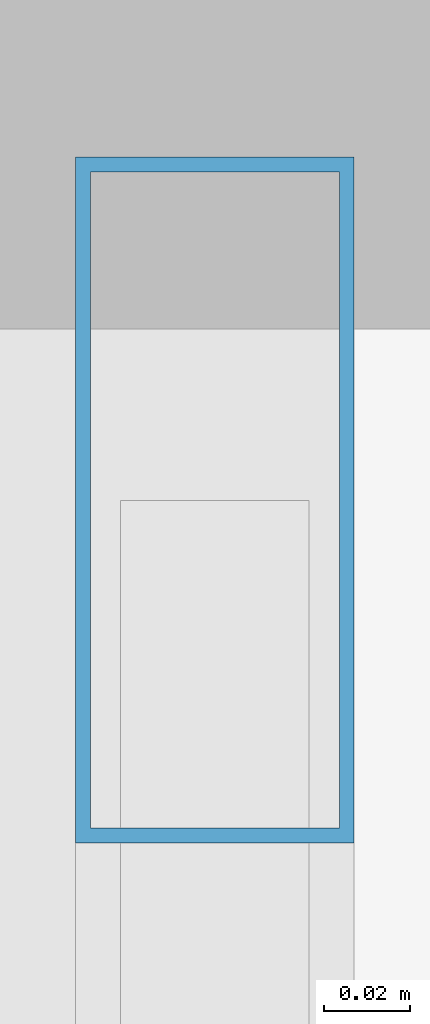
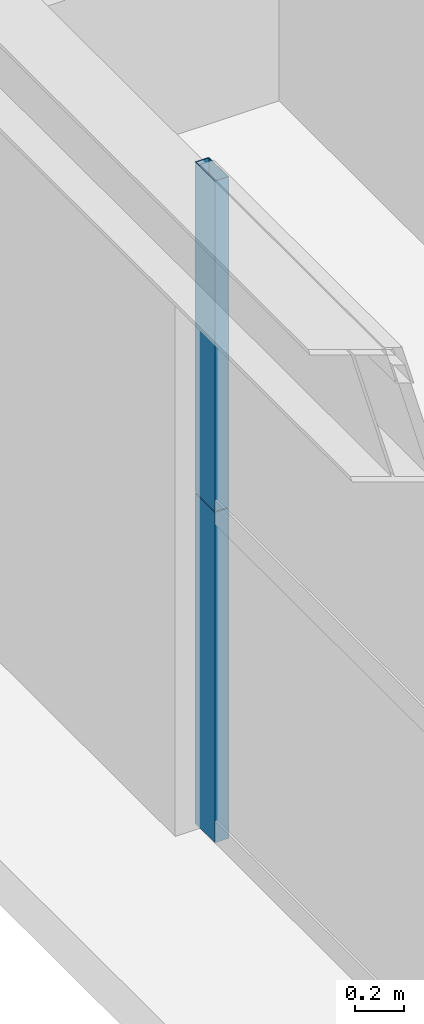
# One storey, part 30 of 45: 2 members, 1 element without a shape of its own.
"""IFC4 building model written with IfcOpenShell, lengths in metres."""

import ifcopenshell
import ifcopenshell.guid

model = None  # the IFC model being written
_history = None  # IfcOwnerHistory: only IFC2X3 demands one
_inside = {}  # id of a spatial element -> (the spatial element, [elements in it])
_under = {}  # id of a project, library or spatial element -> (it, [spatial elements below it])
_declared = {}  # id of a project -> (the project, [libraries it declares])
_typed = {}  # id of a type object -> (the type object, [elements of that type])
_made_of = {}  # id of a material, layer set ... -> (it, [elements and type objects made of it])


def new_model(schema):
    """Start an empty IFC model of exactly this schema.

    Asked for "IFC4X3", IfcOpenShell would pick the latest addendum, in which some entities
    have other attributes; the version numbers below select the first issue.
    IFC2X3 requires an IfcOwnerHistory on every rooted entity: one is made here for all.
    """
    global model, _history
    if schema == "IFC4X3":
        model = ifcopenshell.file(schema_version=(4, 3, 0, 0))
    else:
        model = ifcopenshell.file(schema=schema)
    _inside.clear()
    _under.clear()
    _declared.clear()
    _typed.clear()
    _made_of.clear()
    _history = None
    if model.schema == "IFC2X3":
        org = make("IfcOrganization", Name="unknown")
        user = make(
            "IfcPersonAndOrganization",
            ThePerson=make("IfcPerson", FamilyName="unknown"),
            TheOrganization=org,
        )
        app = make(
            "IfcApplication",
            ApplicationDeveloper=org,
            Version="unknown",
            ApplicationFullName="unknown",
            ApplicationIdentifier="unknown",
        )
        _history = make(
            "IfcOwnerHistory",
            OwningUser=user,
            OwningApplication=app,
            ChangeAction="ADDED",
            CreationDate=0,
        )
    return model


def make(cls, **values):
    """One entity of the class cls with the attributes given. An attribute that is None is left unset."""
    return model.create_entity(
        cls, **{name: value for name, value in values.items() if value is not None}
    )


def rooted(cls, **values):
    """An entity with a GlobalId (a new one), such as an element, a storey or a relation."""
    return make(cls, GlobalId=ifcopenshell.guid.new(), OwnerHistory=_history, **values)


def si_unit(unit_type, name, prefix=None):
    """IfcSIUnit, for example si_unit("LENGTHUNIT", "METRE", prefix="MILLI")."""
    return make("IfcSIUnit", UnitType=unit_type, Prefix=prefix, Name=name)


def assignment(units):
    """IfcUnitAssignment: the units of a project."""
    return None if units is None else make("IfcUnitAssignment", Units=units)


def point(xyz):
    """IfcCartesianPoint."""
    return None if xyz is None else make("IfcCartesianPoint", Coordinates=xyz)


def direction(xyz):
    """IfcDirection."""
    return None if xyz is None else make("IfcDirection", DirectionRatios=xyz)


def frame(location, z_axis=None, x_axis=None):
    """IfcAxis2Placement3D, a coordinate frame: its origin and axes. An axis left out is left unset."""
    return make(
        "IfcAxis2Placement3D",
        Location=point(location),
        Axis=direction(z_axis),
        RefDirection=direction(x_axis),
    )


def frame_2d(location, x_axis=None):
    """IfcAxis2Placement2D, a coordinate frame in the plane: its origin and x axis."""
    return make(
        "IfcAxis2Placement2D", Location=point(location), RefDirection=direction(x_axis)
    )


def origin():
    """The frame at (0, 0, 0) with its axes left unset."""
    return frame((0.0, 0.0, 0.0))


def origin_2d():
    """The frame at (0, 0) in the plane with its x axis left unset."""
    return frame_2d((0.0, 0.0))


def place(relative_to, where):
    """IfcLocalPlacement: puts the frame where relative to a parent placement (None: the world)."""
    return make(
        "IfcLocalPlacement", PlacementRelTo=relative_to, RelativePlacement=where
    )


def context(
    kind, dimensions, precision=None, world=None, true_north=None, identifier=None
):
    """IfcGeometricRepresentationContext, for example the 3D "Model" context."""
    return make(
        "IfcGeometricRepresentationContext",
        ContextIdentifier=identifier,
        ContextType=kind,
        CoordinateSpaceDimension=dimensions,
        Precision=precision,
        WorldCoordinateSystem=world,
        TrueNorth=true_north,
    )


def subcontext(parent, identifier, kind, view, scale=None):
    """IfcGeometricRepresentationSubContext, for example "Body" below "Model"."""
    return make(
        "IfcGeometricRepresentationSubContext",
        ContextIdentifier=identifier,
        ContextType=kind,
        ParentContext=parent,
        TargetScale=scale,
        TargetView=view,
    )


def project(units=None, contexts=None):
    """IfcProject with its units and contexts."""
    return rooted(
        "IfcProject",
        Name="project",
        RepresentationContexts=contexts,
        UnitsInContext=assignment(units),
    )


def spatial(cls, under=None, at=None, **own):
    """A site, building, storey or space (cls), placed at a placement, below another one or the project."""
    s = rooted(cls, ObjectPlacement=at, **own)
    if under is not None:
        _under.setdefault(under.id(), (under, []))[1].append(s)
    return s


def profile(cls, at=None, kind="AREA", **sizes):
    """A parametric profile (cls). Its sizes go by their IFC names, for example OverallWidth=200.0."""
    return make(cls, ProfileType=kind, Position=at, **sizes)


def hollow_rectangle(**sizes):
    """IfcRectangleHollowProfileDef."""
    return profile("IfcRectangleHollowProfileDef", **sizes)


def extrude(swept, where, along, depth):
    """IfcExtrudedAreaSolid: the profile swept, set in the frame where, extruded along a direction by depth."""
    return make(
        "IfcExtrudedAreaSolid",
        SweptArea=swept,
        Position=where,
        ExtrudedDirection=direction(along),
        Depth=depth,
    )


def shape(context_of_items, identifier, shape_type, items):
    """IfcShapeRepresentation: the items that make up one representation, for example the "Body"."""
    return make(
        "IfcShapeRepresentation",
        ContextOfItems=context_of_items,
        RepresentationIdentifier=identifier,
        RepresentationType=shape_type,
        Items=items,
    )


def source(mapping_origin, context_of_items, identifier, shape_type, items):
    """IfcRepresentationMap: a shape defined once, which mapped items show again and again."""
    return make(
        "IfcRepresentationMap",
        MappingOrigin=mapping_origin,
        MappedRepresentation=shape(context_of_items, identifier, shape_type, items),
    )


def transform(
    local_origin,
    x_axis=None,
    y_axis=None,
    z_axis=None,
    scale=None,
    scale2=None,
    scale3=None,
    uniform=True,
):
    """IfcCartesianTransformationOperator3D, or its non-uniform kind. x_axis, y_axis, z_axis: its Axis1, 2, 3."""
    if uniform:
        return make(
            "IfcCartesianTransformationOperator3D",
            Axis1=direction(x_axis),
            Axis2=direction(y_axis),
            LocalOrigin=point(local_origin),
            Scale=scale,
            Axis3=direction(z_axis),
        )
    return make(
        "IfcCartesianTransformationOperator3DnonUniform",
        Axis1=direction(x_axis),
        Axis2=direction(y_axis),
        LocalOrigin=point(local_origin),
        Scale=scale,
        Axis3=direction(z_axis),
        Scale2=scale2,
        Scale3=scale3,
    )


def mapped(mapping_source, mapping_target):
    """IfcMappedItem: shows the shape of a source again, moved by a transform."""
    return make(
        "IfcMappedItem", MappingSource=mapping_source, MappingTarget=mapping_target
    )


def material(Name=None, Category=None):
    """IfcMaterial."""
    return make("IfcMaterial", Name=Name, Category=Category)


def layer(
    of_material, thickness, ventilated=None, Name=None, Category=None, Priority=None
):
    """IfcMaterialLayer: one layer of a wall or slab, of a material (None: an air gap)."""
    return make(
        "IfcMaterialLayer",
        Material=of_material,
        LayerThickness=thickness,
        IsVentilated=ventilated,
        Name=Name,
        Category=Category,
        Priority=Priority,
    )


def layer_set(layers, Name=None):
    """IfcMaterialLayerSet."""
    return make("IfcMaterialLayerSet", MaterialLayers=layers, LayerSetName=Name)


def material_profile(
    of_material, cross_section, Name=None, Category=None, Priority=None
):
    """IfcMaterialProfile: a cross section and its material."""
    return make(
        "IfcMaterialProfile",
        Name=Name,
        Material=of_material,
        Profile=cross_section,
        Priority=Priority,
        Category=Category,
    )


def profile_set(profiles, Name=None, composite=None):
    """IfcMaterialProfileSet."""
    return make(
        "IfcMaterialProfileSet",
        Name=Name,
        MaterialProfiles=profiles,
        CompositeProfile=composite,
    )


def made_of(thing, what):
    """Note that an element or type object is made of a material, layer set ...; save() writes the relation."""
    if what is not None:
        _made_of.setdefault(what.id(), (what, []))[1].append(thing)
    return thing


def type_object(cls, material=None, **own):
    """A type object (cls), such as IfcWallType, which elements share."""
    return made_of(rooted(cls, **own), material)


def element(
    cls,
    number,
    at=None,
    inside=None,
    cuts=None,
    type_object=None,
    material=None,
    context=None,
    identifier="Body",
    shape_type=None,
    held_by="IfcProductDefinitionShape",
    body=None,
    shapes=None,
    **own,
):
    """One element of the class cls, such as IfcWall. Its Tag is "e" and its number.

    at: its placement. inside: the storey or other place that contains it. cuts: it is an
    opening in that element (IfcRelVoidsElement). A single representation is given by context,
    identifier, shape_type and body (its items); several are given by shapes. held_by: the class
    of the entity that holds the representations. save() writes the other relations.
    """
    e = rooted(cls, Tag="e%d" % number, ObjectPlacement=at, **own)
    if body is not None:
        shapes = [shape(context, identifier, shape_type, body)]
    if shapes is not None:
        e.Representation = make(held_by, Representations=shapes)
    if inside is not None:
        _inside.setdefault(inside.id(), (inside, []))[1].append(e)
    if cuts is not None:
        rooted(
            "IfcRelVoidsElement", RelatingBuildingElement=cuts, RelatedOpeningElement=e
        )
    if type_object is not None:
        _typed.setdefault(type_object.id(), (type_object, []))[1].append(e)
    return made_of(e, material)


def aggregate(whole, parts):
    """IfcRelAggregates: a whole, such as a stair, and the parts it consists of."""
    return rooted("IfcRelAggregates", RelatingObject=whole, RelatedObjects=parts)


def save(model, path):
    """Write the relations noted so far, then the file.

    IfcRelAggregates (storeys below a building ...), IfcRelContainedInSpatialStructure (elements
    in a storey), IfcRelDefinesByType, IfcRelAssociatesMaterial and IfcRelDeclares: one each for
    every whole, place, type object, material and project.
    """
    for whole, parts in _under.values():
        aggregate(whole, parts)
    for where, things in _inside.values():
        rooted(
            "IfcRelContainedInSpatialStructure",
            RelatedElements=things,
            RelatingStructure=where,
        )
    for kind, things in _typed.values():
        rooted("IfcRelDefinesByType", RelatedObjects=things, RelatingType=kind)
    for what, things in _made_of.values():
        rooted("IfcRelAssociatesMaterial", RelatedObjects=things, RelatingMaterial=what)
    for by, libraries in _declared.values():
        rooted("IfcRelDeclares", RelatingContext=by, RelatedDefinitions=libraries)
    model.write(path)


model = new_model("IFC4")

# Units and contexts
model_context = context("Model", 3, precision=1e-05, world=origin(), true_north=direction((0.0, 1.0)))
body_context = subcontext(model_context, "Body", "Model", "MODEL_VIEW")
ifc_project = project(units=[si_unit("LENGTHUNIT", "METRE"), si_unit("AREAUNIT", "SQUARE_METRE"), si_unit("VOLUMEUNIT", "CUBIC_METRE"), si_unit("PLANEANGLEUNIT", "RADIAN"), si_unit("MASSUNIT", "GRAM", prefix="KILO"), si_unit("THERMODYNAMICTEMPERATUREUNIT", "KELVIN"), si_unit("POWERUNIT", "WATT")], contexts=[model_context])

# Site, building, storey
site_placement = place(None, origin())
site = spatial("IfcSite", under=ifc_project, at=site_placement, CompositionType="ELEMENT")
building_placement = place(site_placement, origin())
building = spatial("IfcBuilding", under=site, at=building_placement, Name="Yuzanri Waterfront Tower", CompositionType="ELEMENT")
storey_placement = place(building_placement, frame((0.0, 0.0, 212.5)))
storey = spatial("IfcBuildingStorey", under=building, at=storey_placement, Name="L56", CompositionType="ELEMENT", Elevation=212.5)

# Curtain wall, members
ifc_material_1 = material(Name="Anodized Architectural Bronze", Category="metal")
ifc_layer = layer(ifc_material_1, 0.159912109375)
ifc_layer_set = layer_set([ifc_layer], Name="Anodized Architectural Bronze")
curtain_wall_type = type_object("IfcCurtainWallType", Name="Anodized Bronze Mid-Rise Residential Acoustic Unitized Curtain Wall 7200", PredefinedType="NOTDEFINED", material=ifc_layer_set)
curtain_wall_placement = place(storey_placement, origin())
curtain_wall = element("IfcCurtainWall", 1, at=curtain_wall_placement, inside=storey, type_object=curtain_wall_type, Name="L56 Curtain Wall CW-L56-WR", PredefinedType="NOTDEFINED")
ifc_material_2 = material(Name="Anodized Architectural Bronze", Category="metal")
ifc_material_profile = material_profile(ifc_material_2, hollow_rectangle(XDim=0.06494140625, YDim=0.159912109375, WallThickness=0.00341796875, at=origin_2d()), Name="CWM 65x160")
ifc_profile_set = profile_set([ifc_material_profile], Name="Anodized Architectural Bronze")
member_type = type_object("IfcMemberType", Name="Anodized Bronze Upper-Zone Curtain-Wall Mullion 65x160", PredefinedType="MULLION", material=ifc_profile_set)
shared_shape = source(origin(), body_context, "Body", "SweptSolid", [
    extrude(hollow_rectangle(XDim=0.06494140625, YDim=0.159912109375, WallThickness=0.00341796875, at=origin_2d()), origin(), (0.0, 0.0, 1.0), 1.637939453125),
])
member_1_placement = place(storey_placement, frame((15.050048828125, 40.510009765625, 0.0), z_axis=(0.0, 0.0, 1.0), x_axis=(1.0, 0.0, 0.0)))
member_1 = element("IfcMember", 2, at=member_1_placement, type_object=member_type, Name="CW-L56-WR Lower Mullion 02", PredefinedType="MULLION", context=body_context, shape_type="MappedRepresentation", body=[
    mapped(shared_shape, transform((0.0, 0.0, 0.0), scale=1.0)),
])
member_2_placement = place(storey_placement, frame((15.050048828125, 40.510009765625, 1.64208984375), z_axis=(0.0, 0.0, 1.0), x_axis=(1.0, 0.0, 0.0)))
member_2 = element("IfcMember", 3, at=member_2_placement, type_object=member_type, Name="CW-L56-WR Upper Mullion 02", PredefinedType="MULLION", context=body_context, shape_type="MappedRepresentation", body=[
    mapped(shared_shape, transform((0.0, 0.0, 0.0), scale=1.0)),
])
aggregate(curtain_wall, [member_1, member_2])

save(model, "model.ifc")
